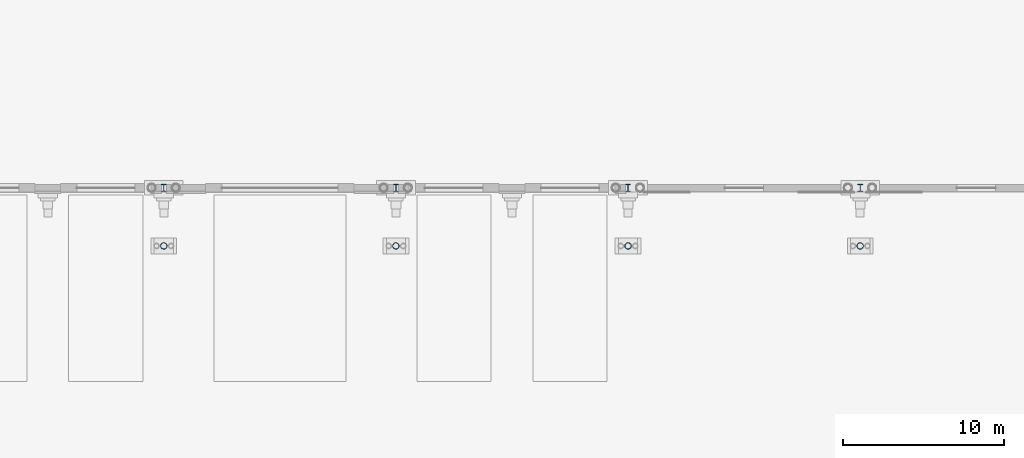
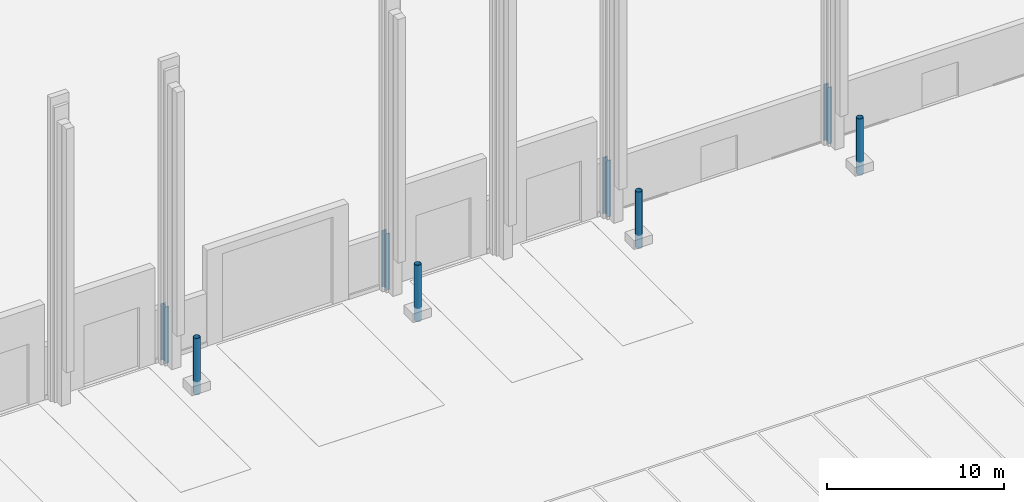
# One storey, part 51 of 148: 8 columns.
"""IFC4 building model written with IfcOpenShell, lengths in metres."""

import ifcopenshell
import ifcopenshell.guid

model = None  # the IFC model being written
_history = None  # IfcOwnerHistory: only IFC2X3 demands one
_inside = {}  # id of a spatial element -> (the spatial element, [elements in it])
_under = {}  # id of a project, library or spatial element -> (it, [spatial elements below it])
_declared = {}  # id of a project -> (the project, [libraries it declares])
_typed = {}  # id of a type object -> (the type object, [elements of that type])
_made_of = {}  # id of a material, layer set ... -> (it, [elements and type objects made of it])


def new_model(schema):
    """Start an empty IFC model of exactly this schema.

    Asked for "IFC4X3", IfcOpenShell would pick the latest addendum, in which some entities
    have other attributes; the version numbers below select the first issue.
    IFC2X3 requires an IfcOwnerHistory on every rooted entity: one is made here for all.
    """
    global model, _history
    if schema == "IFC4X3":
        model = ifcopenshell.file(schema_version=(4, 3, 0, 0))
    else:
        model = ifcopenshell.file(schema=schema)
    _inside.clear()
    _under.clear()
    _declared.clear()
    _typed.clear()
    _made_of.clear()
    _history = None
    if model.schema == "IFC2X3":
        org = make("IfcOrganization", Name="unknown")
        user = make(
            "IfcPersonAndOrganization",
            ThePerson=make("IfcPerson", FamilyName="unknown"),
            TheOrganization=org,
        )
        app = make(
            "IfcApplication",
            ApplicationDeveloper=org,
            Version="unknown",
            ApplicationFullName="unknown",
            ApplicationIdentifier="unknown",
        )
        _history = make(
            "IfcOwnerHistory",
            OwningUser=user,
            OwningApplication=app,
            ChangeAction="ADDED",
            CreationDate=0,
        )
    return model


def make(cls, **values):
    """One entity of the class cls with the attributes given. An attribute that is None is left unset."""
    return model.create_entity(
        cls, **{name: value for name, value in values.items() if value is not None}
    )


def rooted(cls, **values):
    """An entity with a GlobalId (a new one), such as an element, a storey or a relation."""
    return make(cls, GlobalId=ifcopenshell.guid.new(), OwnerHistory=_history, **values)


def si_unit(unit_type, name, prefix=None):
    """IfcSIUnit, for example si_unit("LENGTHUNIT", "METRE", prefix="MILLI")."""
    return make("IfcSIUnit", UnitType=unit_type, Prefix=prefix, Name=name)


def assignment(units):
    """IfcUnitAssignment: the units of a project."""
    return None if units is None else make("IfcUnitAssignment", Units=units)


def point(xyz):
    """IfcCartesianPoint."""
    return None if xyz is None else make("IfcCartesianPoint", Coordinates=xyz)


def direction(xyz):
    """IfcDirection."""
    return None if xyz is None else make("IfcDirection", DirectionRatios=xyz)


def frame(location, z_axis=None, x_axis=None):
    """IfcAxis2Placement3D, a coordinate frame: its origin and axes. An axis left out is left unset."""
    return make(
        "IfcAxis2Placement3D",
        Location=point(location),
        Axis=direction(z_axis),
        RefDirection=direction(x_axis),
    )


def frame_2d(location, x_axis=None):
    """IfcAxis2Placement2D, a coordinate frame in the plane: its origin and x axis."""
    return make(
        "IfcAxis2Placement2D", Location=point(location), RefDirection=direction(x_axis)
    )


def origin():
    """The frame at (0, 0, 0) with its axes left unset."""
    return frame((0.0, 0.0, 0.0))


def origin_2d():
    """The frame at (0, 0) in the plane with its x axis left unset."""
    return frame_2d((0.0, 0.0))


def place(relative_to, where):
    """IfcLocalPlacement: puts the frame where relative to a parent placement (None: the world)."""
    return make(
        "IfcLocalPlacement", PlacementRelTo=relative_to, RelativePlacement=where
    )


def context(
    kind, dimensions, precision=None, world=None, true_north=None, identifier=None
):
    """IfcGeometricRepresentationContext, for example the 3D "Model" context."""
    return make(
        "IfcGeometricRepresentationContext",
        ContextIdentifier=identifier,
        ContextType=kind,
        CoordinateSpaceDimension=dimensions,
        Precision=precision,
        WorldCoordinateSystem=world,
        TrueNorth=true_north,
    )


def subcontext(parent, identifier, kind, view, scale=None):
    """IfcGeometricRepresentationSubContext, for example "Body" below "Model"."""
    return make(
        "IfcGeometricRepresentationSubContext",
        ContextIdentifier=identifier,
        ContextType=kind,
        ParentContext=parent,
        TargetScale=scale,
        TargetView=view,
    )


def project(units=None, contexts=None):
    """IfcProject with its units and contexts."""
    return rooted(
        "IfcProject",
        Name="project",
        RepresentationContexts=contexts,
        UnitsInContext=assignment(units),
    )


def spatial(cls, under=None, at=None, **own):
    """A site, building, storey or space (cls), placed at a placement, below another one or the project."""
    s = rooted(cls, ObjectPlacement=at, **own)
    if under is not None:
        _under.setdefault(under.id(), (under, []))[1].append(s)
    return s


def profile(cls, at=None, kind="AREA", **sizes):
    """A parametric profile (cls). Its sizes go by their IFC names, for example OverallWidth=200.0."""
    return make(cls, ProfileType=kind, Position=at, **sizes)


def hollow_circle(**sizes):
    """IfcCircleHollowProfileDef."""
    return profile("IfcCircleHollowProfileDef", **sizes)


def i_section(**sizes):
    """IfcIShapeProfileDef."""
    return profile("IfcIShapeProfileDef", **sizes)


def extrude(swept, where, along, depth):
    """IfcExtrudedAreaSolid: the profile swept, set in the frame where, extruded along a direction by depth."""
    return make(
        "IfcExtrudedAreaSolid",
        SweptArea=swept,
        Position=where,
        ExtrudedDirection=direction(along),
        Depth=depth,
    )


def shape(context_of_items, identifier, shape_type, items):
    """IfcShapeRepresentation: the items that make up one representation, for example the "Body"."""
    return make(
        "IfcShapeRepresentation",
        ContextOfItems=context_of_items,
        RepresentationIdentifier=identifier,
        RepresentationType=shape_type,
        Items=items,
    )


def material(Name=None, Category=None):
    """IfcMaterial."""
    return make("IfcMaterial", Name=Name, Category=Category)


def material_profile(
    of_material, cross_section, Name=None, Category=None, Priority=None
):
    """IfcMaterialProfile: a cross section and its material."""
    return make(
        "IfcMaterialProfile",
        Name=Name,
        Material=of_material,
        Profile=cross_section,
        Priority=Priority,
        Category=Category,
    )


def profile_set(profiles, Name=None, composite=None):
    """IfcMaterialProfileSet."""
    return make(
        "IfcMaterialProfileSet",
        Name=Name,
        MaterialProfiles=profiles,
        CompositeProfile=composite,
    )


def made_of(thing, what):
    """Note that an element or type object is made of a material, layer set ...; save() writes the relation."""
    if what is not None:
        _made_of.setdefault(what.id(), (what, []))[1].append(thing)
    return thing


def type_object(cls, material=None, **own):
    """A type object (cls), such as IfcWallType, which elements share."""
    return made_of(rooted(cls, **own), material)


def element(
    cls,
    number,
    at=None,
    inside=None,
    cuts=None,
    type_object=None,
    material=None,
    context=None,
    identifier="Body",
    shape_type=None,
    held_by="IfcProductDefinitionShape",
    body=None,
    shapes=None,
    **own,
):
    """One element of the class cls, such as IfcWall. Its Tag is "e" and its number.

    at: its placement. inside: the storey or other place that contains it. cuts: it is an
    opening in that element (IfcRelVoidsElement). A single representation is given by context,
    identifier, shape_type and body (its items); several are given by shapes. held_by: the class
    of the entity that holds the representations. save() writes the other relations.
    """
    e = rooted(cls, Tag="e%d" % number, ObjectPlacement=at, **own)
    if body is not None:
        shapes = [shape(context, identifier, shape_type, body)]
    if shapes is not None:
        e.Representation = make(held_by, Representations=shapes)
    if inside is not None:
        _inside.setdefault(inside.id(), (inside, []))[1].append(e)
    if cuts is not None:
        rooted(
            "IfcRelVoidsElement", RelatingBuildingElement=cuts, RelatedOpeningElement=e
        )
    if type_object is not None:
        _typed.setdefault(type_object.id(), (type_object, []))[1].append(e)
    return made_of(e, material)


def aggregate(whole, parts):
    """IfcRelAggregates: a whole, such as a stair, and the parts it consists of."""
    return rooted("IfcRelAggregates", RelatingObject=whole, RelatedObjects=parts)


def save(model, path):
    """Write the relations noted so far, then the file.

    IfcRelAggregates (storeys below a building ...), IfcRelContainedInSpatialStructure (elements
    in a storey), IfcRelDefinesByType, IfcRelAssociatesMaterial and IfcRelDeclares: one each for
    every whole, place, type object, material and project.
    """
    for whole, parts in _under.values():
        aggregate(whole, parts)
    for where, things in _inside.values():
        rooted(
            "IfcRelContainedInSpatialStructure",
            RelatedElements=things,
            RelatingStructure=where,
        )
    for kind, things in _typed.values():
        rooted("IfcRelDefinesByType", RelatedObjects=things, RelatingType=kind)
    for what, things in _made_of.values():
        rooted("IfcRelAssociatesMaterial", RelatedObjects=things, RelatingMaterial=what)
    for by, libraries in _declared.values():
        rooted("IfcRelDeclares", RelatingContext=by, RelatedDefinitions=libraries)
    model.write(path)


model = new_model("IFC4")

# Units and contexts
model_context = context("Model", 3, precision=1e-05, world=origin(), true_north=direction((0.0, 1.0)))
body_context = subcontext(model_context, "Body", "Model", "MODEL_VIEW")
ifc_project = project(units=[si_unit("LENGTHUNIT", "METRE"), si_unit("AREAUNIT", "SQUARE_METRE"), si_unit("VOLUMEUNIT", "CUBIC_METRE"), si_unit("PLANEANGLEUNIT", "RADIAN"), si_unit("MASSUNIT", "GRAM", prefix="KILO")], contexts=[model_context])

# Site, building, storey
site_placement = place(None, origin())
site = spatial("IfcSite", under=ifc_project, at=site_placement, CompositionType="ELEMENT")
building_placement = place(site_placement, origin())
building = spatial("IfcBuilding", under=site, at=building_placement, Name="Kupolbacken Congress Centre", CompositionType="ELEMENT")
storey_placement = place(building_placement, origin())
storey = spatial("IfcBuildingStorey", under=building, at=storey_placement, Name="L00", CompositionType="ELEMENT", Elevation=0.0)

# Columns
ifc_material_1 = material(Name="Steel S355", Category="steel")
ifc_material_profile_1 = material_profile(ifc_material_1, i_section(OverallWidth=0.300048828125, OverallDepth=0.43994140625, WebThickness=0.011474609375, FlangeThickness=0.02099609375, FilletRadius=0.027099609375, at=origin_2d()), Name="HEA 450")
ifc_profile_set_1 = profile_set([ifc_material_profile_1], Name="Steel S355")
column_type_1 = type_object("IfcColumnType", Name="C07 column HEA 450", PredefinedType="COLUMN", material=ifc_profile_set_1)
for number, where, z_axis, x_axis, name in (
    (1, (136.800048828125, 43.199951171875, -0.300048828125), (0.0, 0.0, 1.0), (1.0, 0.0, 0.0), "S/col/C-H-T4S/L00"),
    (2, (151.199951171875, 43.199951171875, -0.300048828125), (0.0, 0.0, 1.0), (1.0, 0.0, 0.0), "S/col/C-H-T5S/L00"),
    (3, (165.60009765625, 43.199951171875, -0.300048828125), (0.0, 0.0, 1.0), (1.0, 0.0, 0.0), "S/col/C-H-T6S/L00"),
    (4, (180.0, 43.199951171875, -0.300048828125), (0.0, 0.0, 1.0), (1.0, 0.0, 0.0), "S/col/C-H-T7S/L00"),
):
    element("IfcColumn", number, at=place(storey_placement, frame(where, z_axis=z_axis, x_axis=x_axis)), inside=storey, type_object=column_type_1, Name=name, PredefinedType="COLUMN", context=body_context, shape_type="SweptSolid", body=[
        extrude(i_section(OverallWidth=0.300048828125, OverallDepth=0.43994140625, WebThickness=0.011474609375, FlangeThickness=0.02099609375, FilletRadius=0.027099609375, at=origin_2d()), origin(), (0.0, 0.0, 1.0), 3.900146484375),
    ])
ifc_material_2 = material(Name="Steel S355", Category="steel")
ifc_material_profile_2 = material_profile(ifc_material_2, hollow_circle(Radius=0.203125, WallThickness=0.01611328125, at=origin_2d()), Name="CHS 406.4 x 16")
ifc_profile_set_2 = profile_set([ifc_material_profile_2], Name="Steel S355")
column_type_2 = type_object("IfcColumnType", Name="C15 roof mast CHS 406.4 x 16", PredefinedType="COLUMN", material=ifc_profile_set_2)
for number, where, z_axis, x_axis, name in (
    (5, (136.800048828125, 39.60009765625, -0.300048828125), (0.0, 0.0, 1.0), (1.0, 0.0, 0.0), "Roof mast M4S"),
    (6, (151.199951171875, 39.60009765625, -0.300048828125), (0.0, 0.0, 1.0), (1.0, 0.0, 0.0), "Roof mast M5S"),
    (7, (165.60009765625, 39.60009765625, -0.300048828125), (0.0, 0.0, 1.0), (1.0, 0.0, 0.0), "Roof mast M6S"),
    (8, (180.0, 39.60009765625, -0.300048828125), (0.0, 0.0, 1.0), (1.0, 0.0, 0.0), "Roof mast M7S"),
):
    element("IfcColumn", number, at=place(storey_placement, frame(where, z_axis=z_axis, x_axis=x_axis)), inside=storey, type_object=column_type_2, Name=name, PredefinedType="COLUMN", context=body_context, shape_type="SweptSolid", body=[
        extrude(hollow_circle(Radius=0.203125, WallThickness=0.01611328125, at=origin_2d()), origin(), (0.0, 0.0, 1.0), 3.900146484375),
    ])

save(model, "model.ifc")
